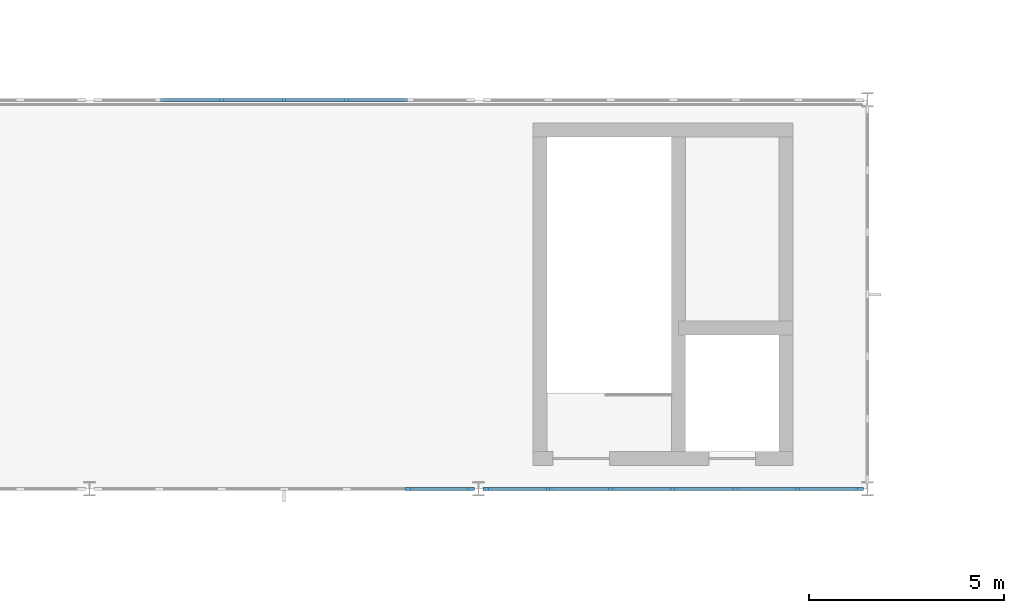
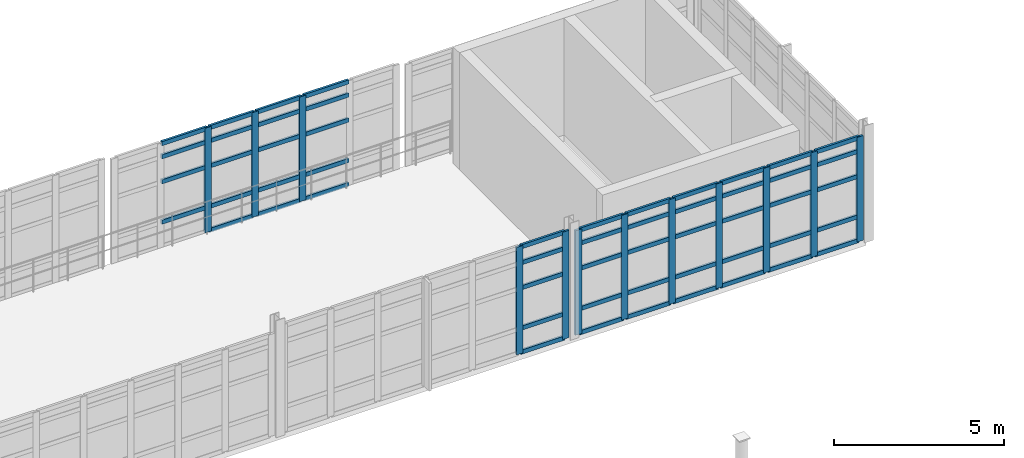
# One storey, part 46 of 122: 66 members, 3 elements without a shape of their own.
"""IFC4 building model written with IfcOpenShell, lengths in metres."""

from ifc_helpers import new_model, si_unit, direction, frame, origin, origin_2d, place, context, subcontext, project, spatial, rectangle, extrude, material, layer, layer_set, material_profile, profile_set, type_object, element, aggregate, save


model = new_model("IFC4")

# Units and contexts
model_context = context("Model", 3, precision=1e-05, world=origin(), true_north=direction((0.0, 1.0)))
body_context = subcontext(model_context, "Body", "Model", "MODEL_VIEW")
ifc_project = project(units=[si_unit("LENGTHUNIT", "METRE"), si_unit("AREAUNIT", "SQUARE_METRE"), si_unit("VOLUMEUNIT", "CUBIC_METRE"), si_unit("PLANEANGLEUNIT", "RADIAN"), si_unit("MASSUNIT", "GRAM", prefix="KILO"), si_unit("THERMODYNAMICTEMPERATUREUNIT", "KELVIN"), si_unit("POWERUNIT", "WATT")], contexts=[model_context])

# Site, building, storey
site_placement = place(None, origin())
site = spatial("IfcSite", under=ifc_project, at=site_placement, CompositionType="ELEMENT")
building_placement = place(site_placement, origin())
building = spatial("IfcBuilding", under=site, at=building_placement, Name="Korenveer Ferry Terminal", CompositionType="ELEMENT")
storey_placement = place(building_placement, frame((0.0, 0.0, 10.199951171875)))
storey = spatial("IfcBuildingStorey", under=building, at=storey_placement, Name="L02", CompositionType="ELEMENT", Elevation=10.199951171875)

# Curtain wall, members
ifc_material_1 = material(Name="Unitised bronze-and-glass curtain wall", Category="glass")
ifc_layer_1 = layer(ifc_material_1, 0.219970703125)
ifc_layer_set_1 = layer_set([ifc_layer_1], Name="Unitised bronze-and-glass curtain wall")
curtain_wall_type_1 = type_object("IfcCurtainWallType", Name="ENV-CW-92", PredefinedType="USERDEFINED", material=ifc_layer_set_1)
curtain_wall_1_placement = place(storey_placement, frame((103.179931640625, 50.0, 0.0)))
curtain_wall_1 = element("IfcCurtainWall", 1, at=curtain_wall_1_placement, inside=storey, type_object=curtain_wall_type_1, Name="Lancet curtain wall CWX-L02-X103-113-Y50-50", ObjectType="UNITISED CURTAIN WALL", PredefinedType="USERDEFINED")
ifc_material_2 = material(Name="Anodised bronze aluminium", Category="aluminium")
ifc_material_profile_1 = material_profile(ifc_material_2, rectangle(XDim=0.074951171875, YDim=0.219970703125, at=origin_2d()), Name="ALU 75x220")
ifc_profile_set_1 = profile_set([ifc_material_profile_1], Name="Anodised bronze aluminium")
member_type_1 = type_object("IfcMemberType", Name="ENV-CWM-75X220", PredefinedType="MULLION", material=ifc_profile_set_1)
member_1_placement = place(storey_placement, frame((111.21337890625, 50.0, 0.0), z_axis=(0.0, 0.0, 1.0), x_axis=(0.0, 1.0, 0.0)))
member_1 = element("IfcMember", 2, at=member_1_placement, type_object=member_type_1, Name="CW-92 mullion 6", PredefinedType="MULLION", context=body_context, shape_type="SweptSolid", body=[
    extrude(rectangle(XDim=0.074951171875, YDim=0.219970703125, at=origin_2d()), origin(), (0.0, 0.0, 1.0), 3.860107421875),
])
member_2_placement = place(storey_placement, frame((112.782470703125, 50.0, 0.0), z_axis=(0.0, 0.0, 1.0), x_axis=(0.0, 1.0, 0.0)))
member_2 = element("IfcMember", 3, at=member_2_placement, type_object=member_type_1, Name="CW-92 mullion 7", PredefinedType="MULLION", context=body_context, shape_type="SweptSolid", body=[
    extrude(rectangle(XDim=0.074951171875, YDim=0.219970703125, at=origin_2d()), origin(), (0.0, 0.0, 1.0), 3.860107421875),
])

ifc_layer_2 = layer(ifc_material_1, 0.219970703125)
ifc_layer_set_2 = layer_set([ifc_layer_2], Name="Unitised bronze-and-glass curtain wall")
curtain_wall_type_2 = type_object("IfcCurtainWallType", Name="ENV-CW-90", PredefinedType="USERDEFINED", material=ifc_layer_set_2)
curtain_wall_2_placement = place(storey_placement, frame((113.179931640625, 50.0, 0.0)))
curtain_wall_2 = element("IfcCurtainWall", 4, at=curtain_wall_2_placement, inside=storey, type_object=curtain_wall_type_2, Name="Lancet curtain wall CWX-L02-X113-123-Y50-50", ObjectType="UNITISED CURTAIN WALL", PredefinedType="USERDEFINED")
member_3_placement = place(storey_placement, frame((113.217529296875, 50.0, 0.0), z_axis=(0.0, 0.0, 1.0), x_axis=(0.0, 1.0, 0.0)))
member_3 = element("IfcMember", 5, at=member_3_placement, type_object=member_type_1, Name="CW-90 mullion 1", PredefinedType="MULLION", context=body_context, shape_type="SweptSolid", body=[
    extrude(rectangle(XDim=0.074951171875, YDim=0.219970703125, at=origin_2d()), origin(), (0.0, 0.0, 1.0), 3.760009765625),
])
member_4_placement = place(storey_placement, frame((114.78662109375, 50.0, 0.0), z_axis=(0.0, 0.0, 1.0), x_axis=(0.0, 1.0, 0.0)))
member_4 = element("IfcMember", 6, at=member_4_placement, type_object=member_type_1, Name="CW-90 mullion 2", PredefinedType="MULLION", context=body_context, shape_type="SweptSolid", body=[
    extrude(rectangle(XDim=0.074951171875, YDim=0.219970703125, at=origin_2d()), origin(), (0.0, 0.0, 1.0), 3.760009765625),
])
member_5_placement = place(storey_placement, frame((116.393310546875, 50.0, 0.0), z_axis=(0.0, 0.0, 1.0), x_axis=(0.0, 1.0, 0.0)))
member_5 = element("IfcMember", 7, at=member_5_placement, type_object=member_type_1, Name="CW-90 mullion 3", PredefinedType="MULLION", context=body_context, shape_type="SweptSolid", body=[
    extrude(rectangle(XDim=0.074951171875, YDim=0.219970703125, at=origin_2d()), origin(), (0.0, 0.0, 1.0), 3.760009765625),
])
member_6_placement = place(storey_placement, frame((118.0, 50.0, 0.0), z_axis=(0.0, 0.0, 1.0), x_axis=(0.0, 1.0, 0.0)))
member_6 = element("IfcMember", 8, at=member_6_placement, type_object=member_type_1, Name="CW-90 mullion 4", PredefinedType="MULLION", context=body_context, shape_type="SweptSolid", body=[
    extrude(rectangle(XDim=0.074951171875, YDim=0.219970703125, at=origin_2d()), origin(), (0.0, 0.0, 1.0), 3.760009765625),
])
member_7_placement = place(storey_placement, frame((119.606689453125, 50.0, 0.0), z_axis=(0.0, 0.0, 1.0), x_axis=(0.0, 1.0, 0.0)))
member_7 = element("IfcMember", 9, at=member_7_placement, type_object=member_type_1, Name="CW-90 mullion 5", PredefinedType="MULLION", context=body_context, shape_type="SweptSolid", body=[
    extrude(rectangle(XDim=0.074951171875, YDim=0.219970703125, at=origin_2d()), origin(), (0.0, 0.0, 1.0), 3.760009765625),
])
member_8_placement = place(storey_placement, frame((121.21337890625, 50.0, 0.0), z_axis=(0.0, 0.0, 1.0), x_axis=(0.0, 1.0, 0.0)))
member_8 = element("IfcMember", 10, at=member_8_placement, type_object=member_type_1, Name="CW-90 mullion 6", PredefinedType="MULLION", context=body_context, shape_type="SweptSolid", body=[
    extrude(rectangle(XDim=0.074951171875, YDim=0.219970703125, at=origin_2d()), origin(), (0.0, 0.0, 1.0), 3.760009765625),
])
member_9_placement = place(storey_placement, frame((122.782470703125, 50.0, 0.0), z_axis=(0.0, 0.0, 1.0), x_axis=(0.0, 1.0, 0.0)))
member_9 = element("IfcMember", 11, at=member_9_placement, type_object=member_type_1, Name="CW-90 mullion 7", PredefinedType="MULLION", context=body_context, shape_type="SweptSolid", body=[
    extrude(rectangle(XDim=0.074951171875, YDim=0.219970703125, at=origin_2d()), origin(), (0.0, 0.0, 1.0), 3.760009765625),
])

curtain_wall_3_placement = place(storey_placement, frame((103.179931640625, 60.0, 0.0)))
curtain_wall_3 = element("IfcCurtainWall", 12, at=curtain_wall_3_placement, inside=storey, type_object=curtain_wall_type_2, Name="Lancet curtain wall CWX-L02-X103-113-Y60-60", ObjectType="UNITISED CURTAIN WALL", PredefinedType="USERDEFINED")
member_10_placement = place(storey_placement, frame((106.393310546875, 60.0, 0.0), z_axis=(0.0, 0.0, 1.0), x_axis=(0.0, 1.0, 0.0)))
member_10 = element("IfcMember", 13, at=member_10_placement, type_object=member_type_1, Name="CW-90 mullion 3", PredefinedType="MULLION", context=body_context, shape_type="SweptSolid", body=[
    extrude(rectangle(XDim=0.074951171875, YDim=0.219970703125, at=origin_2d()), origin(), (0.0, 0.0, 1.0), 3.760009765625),
])
member_11_placement = place(storey_placement, frame((108.0, 60.0, 0.0), z_axis=(0.0, 0.0, 1.0), x_axis=(0.0, 1.0, 0.0)))
member_11 = element("IfcMember", 14, at=member_11_placement, type_object=member_type_1, Name="CW-90 mullion 4", PredefinedType="MULLION", context=body_context, shape_type="SweptSolid", body=[
    extrude(rectangle(XDim=0.074951171875, YDim=0.219970703125, at=origin_2d()), origin(), (0.0, 0.0, 1.0), 3.760009765625),
])
member_12_placement = place(storey_placement, frame((109.606689453125, 60.0, 0.0), z_axis=(0.0, 0.0, 1.0), x_axis=(0.0, 1.0, 0.0)))
member_12 = element("IfcMember", 15, at=member_12_placement, type_object=member_type_1, Name="CW-90 mullion 5", PredefinedType="MULLION", context=body_context, shape_type="SweptSolid", body=[
    extrude(rectangle(XDim=0.074951171875, YDim=0.219970703125, at=origin_2d()), origin(), (0.0, 0.0, 1.0), 3.760009765625),
])

# Member
ifc_material_profile_2 = material_profile(ifc_material_2, rectangle(XDim=0.074951171875, YDim=0.14990234375, at=origin_2d()), Name="ALU 75x150")
ifc_profile_set_2 = profile_set([ifc_material_profile_2], Name="Anodised bronze aluminium")
member_type_2 = type_object("IfcMemberType", Name="ENV-CWT-75X150", PredefinedType="USERDEFINED", material=ifc_profile_set_2)
member_13_placement = place(storey_placement, frame((111.250732421875, 50.0, 0.03759765625), z_axis=(1.0, 0.0, 0.0), x_axis=(0.0, 1.0, 0.0)))
member_13 = element("IfcMember", 16, at=member_13_placement, type_object=member_type_2, Name="CW-92 transom 6.1", ObjectType="TRANSOM", PredefinedType="USERDEFINED", context=body_context, shape_type="SweptSolid", body=[
    extrude(rectangle(XDim=0.074951171875, YDim=0.14990234375, at=origin_2d()), origin(), (0.0, 0.0, 1.0), 1.494384765625),
])

member_14_placement = place(storey_placement, frame((111.250732421875, 50.0, 0.900146484375), z_axis=(1.0, 0.0, 0.0), x_axis=(0.0, 1.0, 0.0)))
member_14 = element("IfcMember", 17, at=member_14_placement, type_object=member_type_2, Name="CW-92 transom 6.2", ObjectType="TRANSOM", PredefinedType="USERDEFINED", context=body_context, shape_type="SweptSolid", body=[
    extrude(rectangle(XDim=0.074951171875, YDim=0.14990234375, at=origin_2d()), origin(), (0.0, 0.0, 1.0), 1.494384765625),
])

member_15_placement = place(storey_placement, frame((111.250732421875, 50.0, 2.35009765625), z_axis=(1.0, 0.0, 0.0), x_axis=(0.0, 1.0, 0.0)))
member_15 = element("IfcMember", 18, at=member_15_placement, type_object=member_type_2, Name="CW-92 transom 6.3", ObjectType="TRANSOM", PredefinedType="USERDEFINED", context=body_context, shape_type="SweptSolid", body=[
    extrude(rectangle(XDim=0.074951171875, YDim=0.14990234375, at=origin_2d()), origin(), (0.0, 0.0, 1.0), 1.494384765625),
])

member_16_placement = place(storey_placement, frame((111.250732421875, 50.0, 3.25), z_axis=(1.0, 0.0, 0.0), x_axis=(0.0, 1.0, 0.0)))
member_16 = element("IfcMember", 19, at=member_16_placement, type_object=member_type_2, Name="CW-92 transom 6.4", ObjectType="TRANSOM", PredefinedType="USERDEFINED", context=body_context, shape_type="SweptSolid", body=[
    extrude(rectangle(XDim=0.074951171875, YDim=0.14990234375, at=origin_2d()), origin(), (0.0, 0.0, 1.0), 1.494384765625),
])

member_17_placement = place(storey_placement, frame((111.250732421875, 50.0, 3.822509765625), z_axis=(1.0, 0.0, 0.0), x_axis=(0.0, 1.0, 0.0)))
member_17 = element("IfcMember", 20, at=member_17_placement, type_object=member_type_2, Name="CW-92 transom 6.5", ObjectType="TRANSOM", PredefinedType="USERDEFINED", context=body_context, shape_type="SweptSolid", body=[
    extrude(rectangle(XDim=0.074951171875, YDim=0.14990234375, at=origin_2d()), origin(), (0.0, 0.0, 1.0), 1.494384765625),
])

aggregate(curtain_wall_1, [member_1, member_2, member_13, member_14, member_15, member_16, member_17])

member_18_placement = place(storey_placement, frame((113.2548828125, 50.0, 0.03759765625), z_axis=(1.0, 0.0, 0.0), x_axis=(0.0, 1.0, 0.0)))
member_18 = element("IfcMember", 21, at=member_18_placement, type_object=member_type_2, Name="CW-90 transom 1.1", ObjectType="TRANSOM", PredefinedType="USERDEFINED", context=body_context, shape_type="SweptSolid", body=[
    extrude(rectangle(XDim=0.074951171875, YDim=0.14990234375, at=origin_2d()), origin(), (0.0, 0.0, 1.0), 1.494384765625),
])

member_19_placement = place(storey_placement, frame((113.2548828125, 50.0, 0.900146484375), z_axis=(1.0, 0.0, 0.0), x_axis=(0.0, 1.0, 0.0)))
member_19 = element("IfcMember", 22, at=member_19_placement, type_object=member_type_2, Name="CW-90 transom 1.2", ObjectType="TRANSOM", PredefinedType="USERDEFINED", context=body_context, shape_type="SweptSolid", body=[
    extrude(rectangle(XDim=0.074951171875, YDim=0.14990234375, at=origin_2d()), origin(), (0.0, 0.0, 1.0), 1.494384765625),
])

member_20_placement = place(storey_placement, frame((113.2548828125, 50.0, 2.35009765625), z_axis=(1.0, 0.0, 0.0), x_axis=(0.0, 1.0, 0.0)))
member_20 = element("IfcMember", 23, at=member_20_placement, type_object=member_type_2, Name="CW-90 transom 1.3", ObjectType="TRANSOM", PredefinedType="USERDEFINED", context=body_context, shape_type="SweptSolid", body=[
    extrude(rectangle(XDim=0.074951171875, YDim=0.14990234375, at=origin_2d()), origin(), (0.0, 0.0, 1.0), 1.494384765625),
])

member_21_placement = place(storey_placement, frame((113.2548828125, 50.0, 3.25), z_axis=(1.0, 0.0, 0.0), x_axis=(0.0, 1.0, 0.0)))
member_21 = element("IfcMember", 24, at=member_21_placement, type_object=member_type_2, Name="CW-90 transom 1.4", ObjectType="TRANSOM", PredefinedType="USERDEFINED", context=body_context, shape_type="SweptSolid", body=[
    extrude(rectangle(XDim=0.074951171875, YDim=0.14990234375, at=origin_2d()), origin(), (0.0, 0.0, 1.0), 1.494384765625),
])

member_22_placement = place(storey_placement, frame((113.2548828125, 50.0, 3.72265625), z_axis=(1.0, 0.0, 0.0), x_axis=(0.0, 1.0, 0.0)))
member_22 = element("IfcMember", 25, at=member_22_placement, type_object=member_type_2, Name="CW-90 transom 1.5", ObjectType="TRANSOM", PredefinedType="USERDEFINED", context=body_context, shape_type="SweptSolid", body=[
    extrude(rectangle(XDim=0.074951171875, YDim=0.14990234375, at=origin_2d()), origin(), (0.0, 0.0, 1.0), 1.494384765625),
])

member_23_placement = place(storey_placement, frame((114.82421875, 50.0, 0.03759765625), z_axis=(1.0, 0.0, 0.0), x_axis=(0.0, 1.0, 0.0)))
member_23 = element("IfcMember", 26, at=member_23_placement, type_object=member_type_2, Name="CW-90 transom 2.1", ObjectType="TRANSOM", PredefinedType="USERDEFINED", context=body_context, shape_type="SweptSolid", body=[
    extrude(rectangle(XDim=0.074951171875, YDim=0.14990234375, at=origin_2d()), origin(), (0.0, 0.0, 1.0), 1.531494140625),
])

member_24_placement = place(storey_placement, frame((114.82421875, 50.0, 0.900146484375), z_axis=(1.0, 0.0, 0.0), x_axis=(0.0, 1.0, 0.0)))
member_24 = element("IfcMember", 27, at=member_24_placement, type_object=member_type_2, Name="CW-90 transom 2.2", ObjectType="TRANSOM", PredefinedType="USERDEFINED", context=body_context, shape_type="SweptSolid", body=[
    extrude(rectangle(XDim=0.074951171875, YDim=0.14990234375, at=origin_2d()), origin(), (0.0, 0.0, 1.0), 1.531494140625),
])

member_25_placement = place(storey_placement, frame((114.82421875, 50.0, 2.35009765625), z_axis=(1.0, 0.0, 0.0), x_axis=(0.0, 1.0, 0.0)))
member_25 = element("IfcMember", 28, at=member_25_placement, type_object=member_type_2, Name="CW-90 transom 2.3", ObjectType="TRANSOM", PredefinedType="USERDEFINED", context=body_context, shape_type="SweptSolid", body=[
    extrude(rectangle(XDim=0.074951171875, YDim=0.14990234375, at=origin_2d()), origin(), (0.0, 0.0, 1.0), 1.531494140625),
])

member_26_placement = place(storey_placement, frame((114.82421875, 50.0, 3.25), z_axis=(1.0, 0.0, 0.0), x_axis=(0.0, 1.0, 0.0)))
member_26 = element("IfcMember", 29, at=member_26_placement, type_object=member_type_2, Name="CW-90 transom 2.4", ObjectType="TRANSOM", PredefinedType="USERDEFINED", context=body_context, shape_type="SweptSolid", body=[
    extrude(rectangle(XDim=0.074951171875, YDim=0.14990234375, at=origin_2d()), origin(), (0.0, 0.0, 1.0), 1.531494140625),
])

member_27_placement = place(storey_placement, frame((114.82421875, 50.0, 3.72265625), z_axis=(1.0, 0.0, 0.0), x_axis=(0.0, 1.0, 0.0)))
member_27 = element("IfcMember", 30, at=member_27_placement, type_object=member_type_2, Name="CW-90 transom 2.5", ObjectType="TRANSOM", PredefinedType="USERDEFINED", context=body_context, shape_type="SweptSolid", body=[
    extrude(rectangle(XDim=0.074951171875, YDim=0.14990234375, at=origin_2d()), origin(), (0.0, 0.0, 1.0), 1.531494140625),
])

member_28_placement = place(storey_placement, frame((116.430908203125, 50.0, 0.03759765625), z_axis=(1.0, 0.0, 0.0), x_axis=(0.0, 1.0, 0.0)))
member_28 = element("IfcMember", 31, at=member_28_placement, type_object=member_type_2, Name="CW-90 transom 3.1", ObjectType="TRANSOM", PredefinedType="USERDEFINED", context=body_context, shape_type="SweptSolid", body=[
    extrude(rectangle(XDim=0.074951171875, YDim=0.14990234375, at=origin_2d()), origin(), (0.0, 0.0, 1.0), 1.531494140625),
])

member_29_placement = place(storey_placement, frame((116.430908203125, 50.0, 0.900146484375), z_axis=(1.0, 0.0, 0.0), x_axis=(0.0, 1.0, 0.0)))
member_29 = element("IfcMember", 32, at=member_29_placement, type_object=member_type_2, Name="CW-90 transom 3.2", ObjectType="TRANSOM", PredefinedType="USERDEFINED", context=body_context, shape_type="SweptSolid", body=[
    extrude(rectangle(XDim=0.074951171875, YDim=0.14990234375, at=origin_2d()), origin(), (0.0, 0.0, 1.0), 1.531494140625),
])

member_30_placement = place(storey_placement, frame((116.430908203125, 50.0, 2.35009765625), z_axis=(1.0, 0.0, 0.0), x_axis=(0.0, 1.0, 0.0)))
member_30 = element("IfcMember", 33, at=member_30_placement, type_object=member_type_2, Name="CW-90 transom 3.3", ObjectType="TRANSOM", PredefinedType="USERDEFINED", context=body_context, shape_type="SweptSolid", body=[
    extrude(rectangle(XDim=0.074951171875, YDim=0.14990234375, at=origin_2d()), origin(), (0.0, 0.0, 1.0), 1.531494140625),
])

member_31_placement = place(storey_placement, frame((116.430908203125, 50.0, 3.25), z_axis=(1.0, 0.0, 0.0), x_axis=(0.0, 1.0, 0.0)))
member_31 = element("IfcMember", 34, at=member_31_placement, type_object=member_type_2, Name="CW-90 transom 3.4", ObjectType="TRANSOM", PredefinedType="USERDEFINED", context=body_context, shape_type="SweptSolid", body=[
    extrude(rectangle(XDim=0.074951171875, YDim=0.14990234375, at=origin_2d()), origin(), (0.0, 0.0, 1.0), 1.531494140625),
])

member_32_placement = place(storey_placement, frame((116.430908203125, 50.0, 3.72265625), z_axis=(1.0, 0.0, 0.0), x_axis=(0.0, 1.0, 0.0)))
member_32 = element("IfcMember", 35, at=member_32_placement, type_object=member_type_2, Name="CW-90 transom 3.5", ObjectType="TRANSOM", PredefinedType="USERDEFINED", context=body_context, shape_type="SweptSolid", body=[
    extrude(rectangle(XDim=0.074951171875, YDim=0.14990234375, at=origin_2d()), origin(), (0.0, 0.0, 1.0), 1.531494140625),
])

member_33_placement = place(storey_placement, frame((118.03759765625, 50.0, 0.03759765625), z_axis=(1.0, 0.0, 0.0), x_axis=(0.0, 1.0, 0.0)))
member_33 = element("IfcMember", 36, at=member_33_placement, type_object=member_type_2, Name="CW-90 transom 4.1", ObjectType="TRANSOM", PredefinedType="USERDEFINED", context=body_context, shape_type="SweptSolid", body=[
    extrude(rectangle(XDim=0.074951171875, YDim=0.14990234375, at=origin_2d()), origin(), (0.0, 0.0, 1.0), 1.531494140625),
])

member_34_placement = place(storey_placement, frame((118.03759765625, 50.0, 0.900146484375), z_axis=(1.0, 0.0, 0.0), x_axis=(0.0, 1.0, 0.0)))
member_34 = element("IfcMember", 37, at=member_34_placement, type_object=member_type_2, Name="CW-90 transom 4.2", ObjectType="TRANSOM", PredefinedType="USERDEFINED", context=body_context, shape_type="SweptSolid", body=[
    extrude(rectangle(XDim=0.074951171875, YDim=0.14990234375, at=origin_2d()), origin(), (0.0, 0.0, 1.0), 1.531494140625),
])

member_35_placement = place(storey_placement, frame((118.03759765625, 50.0, 2.35009765625), z_axis=(1.0, 0.0, 0.0), x_axis=(0.0, 1.0, 0.0)))
member_35 = element("IfcMember", 38, at=member_35_placement, type_object=member_type_2, Name="CW-90 transom 4.3", ObjectType="TRANSOM", PredefinedType="USERDEFINED", context=body_context, shape_type="SweptSolid", body=[
    extrude(rectangle(XDim=0.074951171875, YDim=0.14990234375, at=origin_2d()), origin(), (0.0, 0.0, 1.0), 1.531494140625),
])

member_36_placement = place(storey_placement, frame((118.03759765625, 50.0, 3.25), z_axis=(1.0, 0.0, 0.0), x_axis=(0.0, 1.0, 0.0)))
member_36 = element("IfcMember", 39, at=member_36_placement, type_object=member_type_2, Name="CW-90 transom 4.4", ObjectType="TRANSOM", PredefinedType="USERDEFINED", context=body_context, shape_type="SweptSolid", body=[
    extrude(rectangle(XDim=0.074951171875, YDim=0.14990234375, at=origin_2d()), origin(), (0.0, 0.0, 1.0), 1.531494140625),
])

member_37_placement = place(storey_placement, frame((118.03759765625, 50.0, 3.72265625), z_axis=(1.0, 0.0, 0.0), x_axis=(0.0, 1.0, 0.0)))
member_37 = element("IfcMember", 40, at=member_37_placement, type_object=member_type_2, Name="CW-90 transom 4.5", ObjectType="TRANSOM", PredefinedType="USERDEFINED", context=body_context, shape_type="SweptSolid", body=[
    extrude(rectangle(XDim=0.074951171875, YDim=0.14990234375, at=origin_2d()), origin(), (0.0, 0.0, 1.0), 1.531494140625),
])

member_38_placement = place(storey_placement, frame((119.644287109375, 50.0, 0.03759765625), z_axis=(1.0, 0.0, 0.0), x_axis=(0.0, 1.0, 0.0)))
member_38 = element("IfcMember", 41, at=member_38_placement, type_object=member_type_2, Name="CW-90 transom 5.1", ObjectType="TRANSOM", PredefinedType="USERDEFINED", context=body_context, shape_type="SweptSolid", body=[
    extrude(rectangle(XDim=0.074951171875, YDim=0.14990234375, at=origin_2d()), origin(), (0.0, 0.0, 1.0), 1.531494140625),
])

member_39_placement = place(storey_placement, frame((119.644287109375, 50.0, 0.900146484375), z_axis=(1.0, 0.0, 0.0), x_axis=(0.0, 1.0, 0.0)))
member_39 = element("IfcMember", 42, at=member_39_placement, type_object=member_type_2, Name="CW-90 transom 5.2", ObjectType="TRANSOM", PredefinedType="USERDEFINED", context=body_context, shape_type="SweptSolid", body=[
    extrude(rectangle(XDim=0.074951171875, YDim=0.14990234375, at=origin_2d()), origin(), (0.0, 0.0, 1.0), 1.531494140625),
])

member_40_placement = place(storey_placement, frame((119.644287109375, 50.0, 2.35009765625), z_axis=(1.0, 0.0, 0.0), x_axis=(0.0, 1.0, 0.0)))
member_40 = element("IfcMember", 43, at=member_40_placement, type_object=member_type_2, Name="CW-90 transom 5.3", ObjectType="TRANSOM", PredefinedType="USERDEFINED", context=body_context, shape_type="SweptSolid", body=[
    extrude(rectangle(XDim=0.074951171875, YDim=0.14990234375, at=origin_2d()), origin(), (0.0, 0.0, 1.0), 1.531494140625),
])

member_41_placement = place(storey_placement, frame((119.644287109375, 50.0, 3.25), z_axis=(1.0, 0.0, 0.0), x_axis=(0.0, 1.0, 0.0)))
member_41 = element("IfcMember", 44, at=member_41_placement, type_object=member_type_2, Name="CW-90 transom 5.4", ObjectType="TRANSOM", PredefinedType="USERDEFINED", context=body_context, shape_type="SweptSolid", body=[
    extrude(rectangle(XDim=0.074951171875, YDim=0.14990234375, at=origin_2d()), origin(), (0.0, 0.0, 1.0), 1.531494140625),
])

member_42_placement = place(storey_placement, frame((119.644287109375, 50.0, 3.72265625), z_axis=(1.0, 0.0, 0.0), x_axis=(0.0, 1.0, 0.0)))
member_42 = element("IfcMember", 45, at=member_42_placement, type_object=member_type_2, Name="CW-90 transom 5.5", ObjectType="TRANSOM", PredefinedType="USERDEFINED", context=body_context, shape_type="SweptSolid", body=[
    extrude(rectangle(XDim=0.074951171875, YDim=0.14990234375, at=origin_2d()), origin(), (0.0, 0.0, 1.0), 1.531494140625),
])

member_43_placement = place(storey_placement, frame((121.250732421875, 50.0, 0.03759765625), z_axis=(1.0, 0.0, 0.0), x_axis=(0.0, 1.0, 0.0)))
member_43 = element("IfcMember", 46, at=member_43_placement, type_object=member_type_2, Name="CW-90 transom 6.1", ObjectType="TRANSOM", PredefinedType="USERDEFINED", context=body_context, shape_type="SweptSolid", body=[
    extrude(rectangle(XDim=0.074951171875, YDim=0.14990234375, at=origin_2d()), origin(), (0.0, 0.0, 1.0), 1.494384765625),
])

member_44_placement = place(storey_placement, frame((121.250732421875, 50.0, 0.900146484375), z_axis=(1.0, 0.0, 0.0), x_axis=(0.0, 1.0, 0.0)))
member_44 = element("IfcMember", 47, at=member_44_placement, type_object=member_type_2, Name="CW-90 transom 6.2", ObjectType="TRANSOM", PredefinedType="USERDEFINED", context=body_context, shape_type="SweptSolid", body=[
    extrude(rectangle(XDim=0.074951171875, YDim=0.14990234375, at=origin_2d()), origin(), (0.0, 0.0, 1.0), 1.494384765625),
])

member_45_placement = place(storey_placement, frame((121.250732421875, 50.0, 2.35009765625), z_axis=(1.0, 0.0, 0.0), x_axis=(0.0, 1.0, 0.0)))
member_45 = element("IfcMember", 48, at=member_45_placement, type_object=member_type_2, Name="CW-90 transom 6.3", ObjectType="TRANSOM", PredefinedType="USERDEFINED", context=body_context, shape_type="SweptSolid", body=[
    extrude(rectangle(XDim=0.074951171875, YDim=0.14990234375, at=origin_2d()), origin(), (0.0, 0.0, 1.0), 1.494384765625),
])

member_46_placement = place(storey_placement, frame((121.250732421875, 50.0, 3.25), z_axis=(1.0, 0.0, 0.0), x_axis=(0.0, 1.0, 0.0)))
member_46 = element("IfcMember", 49, at=member_46_placement, type_object=member_type_2, Name="CW-90 transom 6.4", ObjectType="TRANSOM", PredefinedType="USERDEFINED", context=body_context, shape_type="SweptSolid", body=[
    extrude(rectangle(XDim=0.074951171875, YDim=0.14990234375, at=origin_2d()), origin(), (0.0, 0.0, 1.0), 1.494384765625),
])

member_47_placement = place(storey_placement, frame((121.250732421875, 50.0, 3.72265625), z_axis=(1.0, 0.0, 0.0), x_axis=(0.0, 1.0, 0.0)))
member_47 = element("IfcMember", 50, at=member_47_placement, type_object=member_type_2, Name="CW-90 transom 6.5", ObjectType="TRANSOM", PredefinedType="USERDEFINED", context=body_context, shape_type="SweptSolid", body=[
    extrude(rectangle(XDim=0.074951171875, YDim=0.14990234375, at=origin_2d()), origin(), (0.0, 0.0, 1.0), 1.494384765625),
])

aggregate(curtain_wall_2, [member_3, member_4, member_5, member_6, member_7, member_8, member_9, member_18, member_19, member_20, member_21, member_22, member_23, member_24, member_25, member_26, member_27, member_28, member_29, member_30, member_31, member_32, member_33, member_34, member_35, member_36, member_37, member_38, member_39, member_40, member_41, member_42, member_43, member_44, member_45, member_46, member_47])

member_48_placement = place(storey_placement, frame((104.82421875, 60.0, 0.900146484375), z_axis=(1.0, 0.0, 0.0), x_axis=(0.0, 1.0, 0.0)))
member_48 = element("IfcMember", 51, at=member_48_placement, type_object=member_type_2, Name="CW-90 transom 2.2", ObjectType="TRANSOM", PredefinedType="USERDEFINED", context=body_context, shape_type="SweptSolid", body=[
    extrude(rectangle(XDim=0.074951171875, YDim=0.14990234375, at=origin_2d()), origin(), (0.0, 0.0, 1.0), 1.531494140625),
])

member_49_placement = place(storey_placement, frame((104.82421875, 60.0, 2.35009765625), z_axis=(1.0, 0.0, 0.0), x_axis=(0.0, 1.0, 0.0)))
member_49 = element("IfcMember", 52, at=member_49_placement, type_object=member_type_2, Name="CW-90 transom 2.3", ObjectType="TRANSOM", PredefinedType="USERDEFINED", context=body_context, shape_type="SweptSolid", body=[
    extrude(rectangle(XDim=0.074951171875, YDim=0.14990234375, at=origin_2d()), origin(), (0.0, 0.0, 1.0), 1.531494140625),
])

member_50_placement = place(storey_placement, frame((104.82421875, 60.0, 3.25), z_axis=(1.0, 0.0, 0.0), x_axis=(0.0, 1.0, 0.0)))
member_50 = element("IfcMember", 53, at=member_50_placement, type_object=member_type_2, Name="CW-90 transom 2.4", ObjectType="TRANSOM", PredefinedType="USERDEFINED", context=body_context, shape_type="SweptSolid", body=[
    extrude(rectangle(XDim=0.074951171875, YDim=0.14990234375, at=origin_2d()), origin(), (0.0, 0.0, 1.0), 1.531494140625),
])

member_51_placement = place(storey_placement, frame((104.82421875, 60.0, 3.72265625), z_axis=(1.0, 0.0, 0.0), x_axis=(0.0, 1.0, 0.0)))
member_51 = element("IfcMember", 54, at=member_51_placement, type_object=member_type_2, Name="CW-90 transom 2.5", ObjectType="TRANSOM", PredefinedType="USERDEFINED", context=body_context, shape_type="SweptSolid", body=[
    extrude(rectangle(XDim=0.074951171875, YDim=0.14990234375, at=origin_2d()), origin(), (0.0, 0.0, 1.0), 1.531494140625),
])

member_52_placement = place(storey_placement, frame((106.430908203125, 60.0, 0.03759765625), z_axis=(1.0, 0.0, 0.0), x_axis=(0.0, 1.0, 0.0)))
member_52 = element("IfcMember", 55, at=member_52_placement, type_object=member_type_2, Name="CW-90 transom 3.1", ObjectType="TRANSOM", PredefinedType="USERDEFINED", context=body_context, shape_type="SweptSolid", body=[
    extrude(rectangle(XDim=0.074951171875, YDim=0.14990234375, at=origin_2d()), origin(), (0.0, 0.0, 1.0), 1.531494140625),
])

member_53_placement = place(storey_placement, frame((106.430908203125, 60.0, 0.900146484375), z_axis=(1.0, 0.0, 0.0), x_axis=(0.0, 1.0, 0.0)))
member_53 = element("IfcMember", 56, at=member_53_placement, type_object=member_type_2, Name="CW-90 transom 3.2", ObjectType="TRANSOM", PredefinedType="USERDEFINED", context=body_context, shape_type="SweptSolid", body=[
    extrude(rectangle(XDim=0.074951171875, YDim=0.14990234375, at=origin_2d()), origin(), (0.0, 0.0, 1.0), 1.531494140625),
])

member_54_placement = place(storey_placement, frame((106.430908203125, 60.0, 2.35009765625), z_axis=(1.0, 0.0, 0.0), x_axis=(0.0, 1.0, 0.0)))
member_54 = element("IfcMember", 57, at=member_54_placement, type_object=member_type_2, Name="CW-90 transom 3.3", ObjectType="TRANSOM", PredefinedType="USERDEFINED", context=body_context, shape_type="SweptSolid", body=[
    extrude(rectangle(XDim=0.074951171875, YDim=0.14990234375, at=origin_2d()), origin(), (0.0, 0.0, 1.0), 1.531494140625),
])

member_55_placement = place(storey_placement, frame((106.430908203125, 60.0, 3.25), z_axis=(1.0, 0.0, 0.0), x_axis=(0.0, 1.0, 0.0)))
member_55 = element("IfcMember", 58, at=member_55_placement, type_object=member_type_2, Name="CW-90 transom 3.4", ObjectType="TRANSOM", PredefinedType="USERDEFINED", context=body_context, shape_type="SweptSolid", body=[
    extrude(rectangle(XDim=0.074951171875, YDim=0.14990234375, at=origin_2d()), origin(), (0.0, 0.0, 1.0), 1.531494140625),
])

member_56_placement = place(storey_placement, frame((106.430908203125, 60.0, 3.72265625), z_axis=(1.0, 0.0, 0.0), x_axis=(0.0, 1.0, 0.0)))
member_56 = element("IfcMember", 59, at=member_56_placement, type_object=member_type_2, Name="CW-90 transom 3.5", ObjectType="TRANSOM", PredefinedType="USERDEFINED", context=body_context, shape_type="SweptSolid", body=[
    extrude(rectangle(XDim=0.074951171875, YDim=0.14990234375, at=origin_2d()), origin(), (0.0, 0.0, 1.0), 1.531494140625),
])

member_57_placement = place(storey_placement, frame((108.03759765625, 60.0, 0.03759765625), z_axis=(1.0, 0.0, 0.0), x_axis=(0.0, 1.0, 0.0)))
member_57 = element("IfcMember", 60, at=member_57_placement, type_object=member_type_2, Name="CW-90 transom 4.1", ObjectType="TRANSOM", PredefinedType="USERDEFINED", context=body_context, shape_type="SweptSolid", body=[
    extrude(rectangle(XDim=0.074951171875, YDim=0.14990234375, at=origin_2d()), origin(), (0.0, 0.0, 1.0), 1.531494140625),
])

member_58_placement = place(storey_placement, frame((108.03759765625, 60.0, 0.900146484375), z_axis=(1.0, 0.0, 0.0), x_axis=(0.0, 1.0, 0.0)))
member_58 = element("IfcMember", 61, at=member_58_placement, type_object=member_type_2, Name="CW-90 transom 4.2", ObjectType="TRANSOM", PredefinedType="USERDEFINED", context=body_context, shape_type="SweptSolid", body=[
    extrude(rectangle(XDim=0.074951171875, YDim=0.14990234375, at=origin_2d()), origin(), (0.0, 0.0, 1.0), 1.531494140625),
])

member_59_placement = place(storey_placement, frame((108.03759765625, 60.0, 2.35009765625), z_axis=(1.0, 0.0, 0.0), x_axis=(0.0, 1.0, 0.0)))
member_59 = element("IfcMember", 62, at=member_59_placement, type_object=member_type_2, Name="CW-90 transom 4.3", ObjectType="TRANSOM", PredefinedType="USERDEFINED", context=body_context, shape_type="SweptSolid", body=[
    extrude(rectangle(XDim=0.074951171875, YDim=0.14990234375, at=origin_2d()), origin(), (0.0, 0.0, 1.0), 1.531494140625),
])

member_60_placement = place(storey_placement, frame((108.03759765625, 60.0, 3.25), z_axis=(1.0, 0.0, 0.0), x_axis=(0.0, 1.0, 0.0)))
member_60 = element("IfcMember", 63, at=member_60_placement, type_object=member_type_2, Name="CW-90 transom 4.4", ObjectType="TRANSOM", PredefinedType="USERDEFINED", context=body_context, shape_type="SweptSolid", body=[
    extrude(rectangle(XDim=0.074951171875, YDim=0.14990234375, at=origin_2d()), origin(), (0.0, 0.0, 1.0), 1.531494140625),
])

member_61_placement = place(storey_placement, frame((108.03759765625, 60.0, 3.72265625), z_axis=(1.0, 0.0, 0.0), x_axis=(0.0, 1.0, 0.0)))
member_61 = element("IfcMember", 64, at=member_61_placement, type_object=member_type_2, Name="CW-90 transom 4.5", ObjectType="TRANSOM", PredefinedType="USERDEFINED", context=body_context, shape_type="SweptSolid", body=[
    extrude(rectangle(XDim=0.074951171875, YDim=0.14990234375, at=origin_2d()), origin(), (0.0, 0.0, 1.0), 1.531494140625),
])

member_62_placement = place(storey_placement, frame((109.644287109375, 60.0, 0.03759765625), z_axis=(1.0, 0.0, 0.0), x_axis=(0.0, 1.0, 0.0)))
member_62 = element("IfcMember", 65, at=member_62_placement, type_object=member_type_2, Name="CW-90 transom 5.1", ObjectType="TRANSOM", PredefinedType="USERDEFINED", context=body_context, shape_type="SweptSolid", body=[
    extrude(rectangle(XDim=0.074951171875, YDim=0.14990234375, at=origin_2d()), origin(), (0.0, 0.0, 1.0), 1.531494140625),
])

member_63_placement = place(storey_placement, frame((109.644287109375, 60.0, 0.900146484375), z_axis=(1.0, 0.0, 0.0), x_axis=(0.0, 1.0, 0.0)))
member_63 = element("IfcMember", 66, at=member_63_placement, type_object=member_type_2, Name="CW-90 transom 5.2", ObjectType="TRANSOM", PredefinedType="USERDEFINED", context=body_context, shape_type="SweptSolid", body=[
    extrude(rectangle(XDim=0.074951171875, YDim=0.14990234375, at=origin_2d()), origin(), (0.0, 0.0, 1.0), 1.531494140625),
])

member_64_placement = place(storey_placement, frame((109.644287109375, 60.0, 2.35009765625), z_axis=(1.0, 0.0, 0.0), x_axis=(0.0, 1.0, 0.0)))
member_64 = element("IfcMember", 67, at=member_64_placement, type_object=member_type_2, Name="CW-90 transom 5.3", ObjectType="TRANSOM", PredefinedType="USERDEFINED", context=body_context, shape_type="SweptSolid", body=[
    extrude(rectangle(XDim=0.074951171875, YDim=0.14990234375, at=origin_2d()), origin(), (0.0, 0.0, 1.0), 1.531494140625),
])

member_65_placement = place(storey_placement, frame((109.644287109375, 60.0, 3.25), z_axis=(1.0, 0.0, 0.0), x_axis=(0.0, 1.0, 0.0)))
member_65 = element("IfcMember", 68, at=member_65_placement, type_object=member_type_2, Name="CW-90 transom 5.4", ObjectType="TRANSOM", PredefinedType="USERDEFINED", context=body_context, shape_type="SweptSolid", body=[
    extrude(rectangle(XDim=0.074951171875, YDim=0.14990234375, at=origin_2d()), origin(), (0.0, 0.0, 1.0), 1.531494140625),
])

member_66_placement = place(storey_placement, frame((109.644287109375, 60.0, 3.72265625), z_axis=(1.0, 0.0, 0.0), x_axis=(0.0, 1.0, 0.0)))
member_66 = element("IfcMember", 69, at=member_66_placement, type_object=member_type_2, Name="CW-90 transom 5.5", ObjectType="TRANSOM", PredefinedType="USERDEFINED", context=body_context, shape_type="SweptSolid", body=[
    extrude(rectangle(XDim=0.074951171875, YDim=0.14990234375, at=origin_2d()), origin(), (0.0, 0.0, 1.0), 1.531494140625),
])

aggregate(curtain_wall_3, [member_10, member_11, member_12, member_48, member_49, member_50, member_51, member_52, member_53, member_54, member_55, member_56, member_57, member_58, member_59, member_60, member_61, member_62, member_63, member_64, member_65, member_66])

save(model, "model.ifc")
